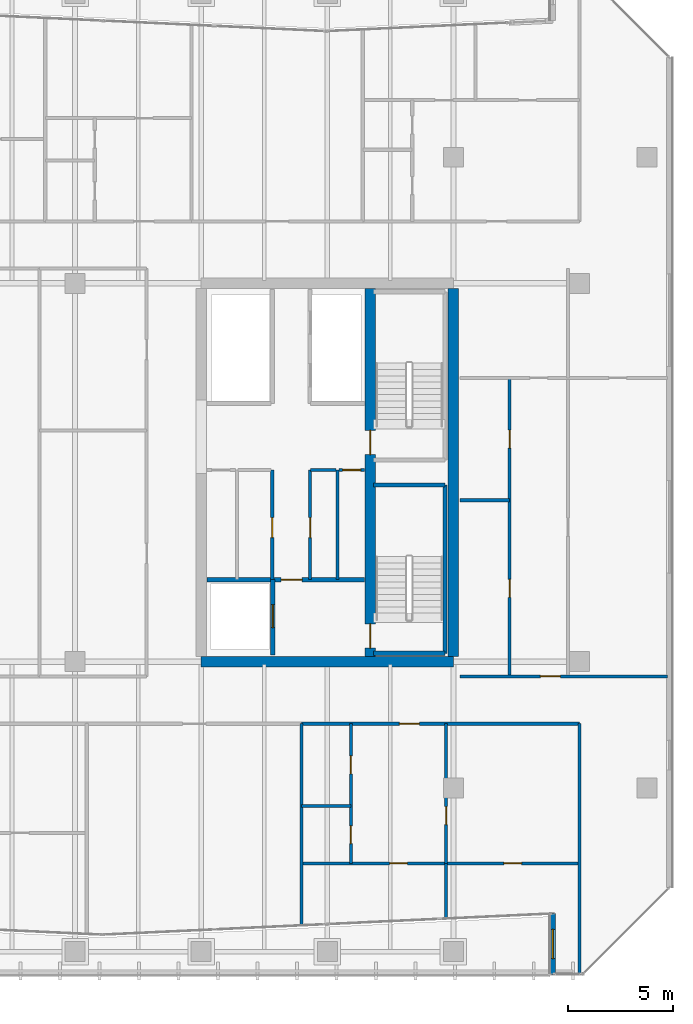
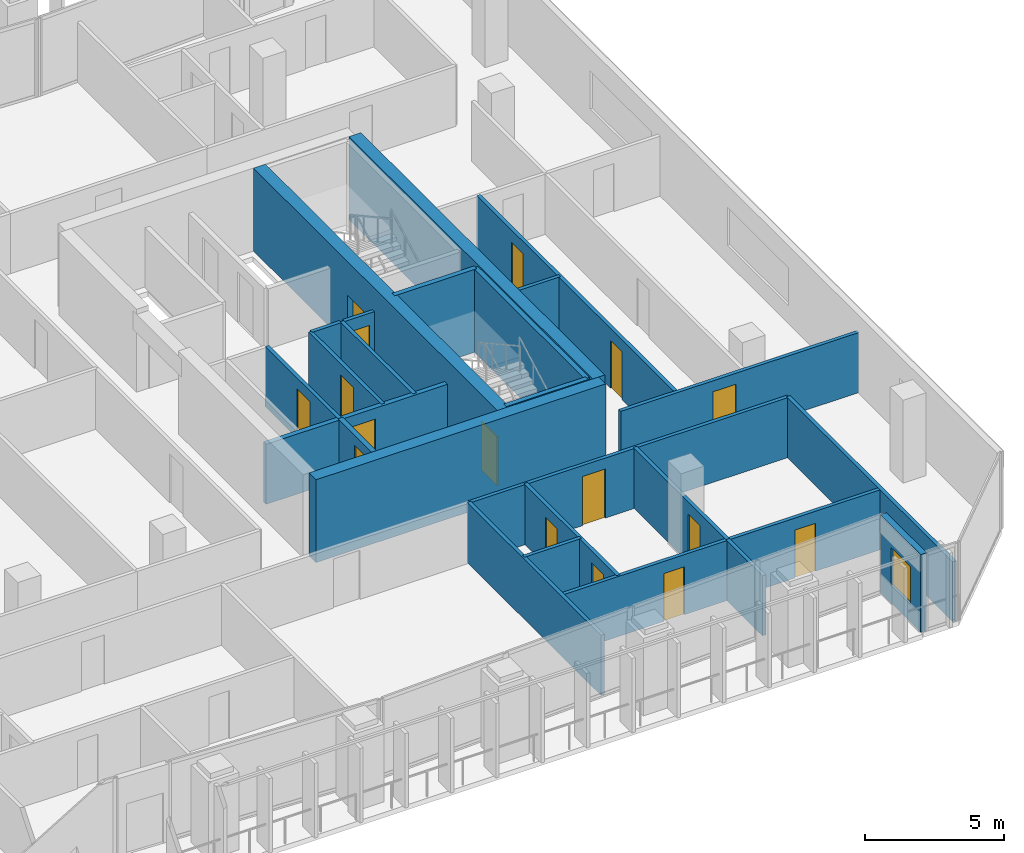
# One storey, part 31 of 39: 25 walls, 16 doors, 1 window, 17 openings.
"""IFC4 building model written with IfcOpenShell, lengths in metres."""

from ifc_helpers import new_model, si_unit, direction, frame, frame_2d, origin, place, context, subcontext, project, spatial, rectangle, extrude, material, layer, layer_set, type_object, element, fill, save


model = new_model("IFC4")

# Units and contexts
model_context = context("Model", 3, precision=1e-05, world=origin(), true_north=direction((0.0, 1.0)))
body_context = subcontext(model_context, "Body", "Model", "MODEL_VIEW")
ifc_project = project(units=[si_unit("LENGTHUNIT", "METRE"), si_unit("AREAUNIT", "SQUARE_METRE"), si_unit("VOLUMEUNIT", "CUBIC_METRE"), si_unit("PLANEANGLEUNIT", "RADIAN"), si_unit("MASSUNIT", "GRAM", prefix="KILO")], contexts=[model_context])

# Site, building, storey
site_placement = place(None, origin())
site = spatial("IfcSite", under=ifc_project, at=site_placement, CompositionType="ELEMENT")
building_placement = place(site_placement, origin())
building = spatial("IfcBuilding", under=site, at=building_placement, Name="Tanjung Sevakor Pilgrim Tower", CompositionType="ELEMENT")
storey_placement = place(building_placement, frame((0.0, 0.0, 108.570068359375)))
storey = spatial("IfcBuildingStorey", under=building, at=storey_placement, Name="L30", CompositionType="ELEMENT", Elevation=108.570068359375)

# Walls
ifc_material_1 = material(Name="Concrete C60/75", Category="concrete")
ifc_layer_1 = layer(ifc_material_1, 0.5)
ifc_layer_set_1 = layer_set([ifc_layer_1], Name="WALL-CW-500")
wall_type_1 = type_object("IfcWallType", Name="WALL-CW-500", PredefinedType="SHEAR", material=ifc_layer_set_1)
wall_1_placement = place(storey_placement, frame((78.0, 24.60009765625, 0.0), z_axis=(0.0, 0.0, 1.0), x_axis=(1.0, 0.0, 0.0)))
element("IfcWall", 1, at=wall_1_placement, inside=storey, type_object=wall_type_1, Name="L30 E Core South Shear Wall", PredefinedType="SHEAR", context=body_context, shape_type="SweptSolid", body=[
    extrude(rectangle(XDim=12.0, YDim=0.5, at=frame_2d((6.0, 0.0))), origin(), (0.0, 0.0, 1.0), 3.6298828125),
])
wall_2_placement = place(storey_placement, frame((90.0, 24.85009765625, 0.0), z_axis=(0.0, 0.0, 1.0), x_axis=(0.0, 1.0, 0.0)))
element("IfcWall", 2, at=wall_2_placement, inside=storey, type_object=wall_type_1, Name="L30 E Core Outer Shear Wall", PredefinedType="SHEAR", context=body_context, shape_type="SweptSolid", body=[
    extrude(rectangle(XDim=17.5, YDim=0.5, at=frame_2d((8.75, 0.0))), origin(), (0.0, 0.0, 1.0), 3.6298828125),
])

# Wall, openings, doors
wall_3_placement = place(storey_placement, frame((86.050048828125, 24.85009765625, 0.0), z_axis=(0.0, 0.0, 1.0), x_axis=(0.0, 1.0, 0.0)))
wall_3 = element("IfcWall", 3, at=wall_3_placement, inside=storey, type_object=wall_type_1, Name="L30 E Core Stair Spine Wall", PredefinedType="SHEAR", context=body_context, shape_type="SweptSolid", body=[
    extrude(rectangle(XDim=17.5, YDim=0.5, at=frame_2d((8.75, 0.0))), origin(), (0.0, 0.0, 1.0), 3.6298828125),
])
opening_1_placement = place(wall_3_placement, frame((0.39990234375, 0.0, 0.0)))
opening_1 = element("IfcOpeningElement", 4, at=opening_1_placement, cuts=wall_3, Name="Opening ID-ST1", PredefinedType="OPENING", context=body_context, shape_type="SweptSolid", body=[
    extrude(rectangle(XDim=1.14990234375, YDim=2.14990234375, at=frame_2d((0.574951171875, 1.074951171875))), frame((0.0, 0.260009765625, 0.0), z_axis=(0.0, -1.0, 0.0), x_axis=(1.0, 0.0, 0.0)), (0.0, 0.0, 1.0), 0.52001953125),
])
opening_2_placement = place(wall_3_placement, frame((9.60009765625, 0.0, 0.0)))
opening_2 = element("IfcOpeningElement", 5, at=opening_2_placement, cuts=wall_3, Name="Opening ID-ST1", PredefinedType="OPENING", context=body_context, shape_type="SweptSolid", body=[
    extrude(rectangle(XDim=1.14990234375, YDim=2.14990234375, at=frame_2d((0.574951171875, 1.074951171875))), frame((0.0, 0.260009765625, 0.0), z_axis=(0.0, -1.0, 0.0), x_axis=(1.0, 0.0, 0.0)), (0.0, 0.0, 1.0), 0.52001953125),
])
ifc_material_2 = material(Name="Fire-Rated Steel S355J2", Category="steel")
door_type_1 = type_object("IfcDoorType", Name="DT-FIRE-1150", OperationType="NOTDEFINED", PredefinedType="DOOR", material=ifc_material_2)
door_1_placement = place(opening_1_placement, origin())
door_1 = element("IfcDoor", 6, at=door_1_placement, inside=storey, type_object=door_type_1, Name="L30 TS-E1 Stair Fire Door", OperationType="SINGLE_SWING_RIGHT", OverallHeight=2.14990234375, OverallWidth=1.14990234375, PredefinedType="DOOR", context=body_context, shape_type="SweptSolid", body=[
    extrude(rectangle(XDim=1.14990234375, YDim=2.14990234375, at=frame_2d((0.574951171875, 1.074951171875))), frame((0.0, 0.02490234375, 0.0), z_axis=(0.0, -1.0, 0.0), x_axis=(1.0, 0.0, 0.0)), (0.0, 0.0, 1.0), 0.050048828125),
])
fill(opening_1, door_1)
door_2_placement = place(opening_2_placement, origin())
door_2 = element("IfcDoor", 7, at=door_2_placement, inside=storey, type_object=door_type_1, Name="L30 TS-E2 Stair Fire Door", OperationType="SINGLE_SWING_LEFT", OverallHeight=2.14990234375, OverallWidth=1.14990234375, PredefinedType="DOOR", context=body_context, shape_type="SweptSolid", body=[
    extrude(rectangle(XDim=1.14990234375, YDim=2.14990234375, at=frame_2d((0.574951171875, 1.074951171875))), frame((0.0, 0.02490234375, 0.0), z_axis=(0.0, -1.0, 0.0), x_axis=(1.0, 0.0, 0.0)), (0.0, 0.0, 1.0), 0.050048828125),
])
fill(opening_2, door_2)

# Wall
ifc_material_3 = material(Name="Concrete C40/50", Category="concrete")
ifc_layer_2 = layer(ifc_material_3, 0.14990234375)
ifc_layer_set_2 = layer_set([ifc_layer_2], Name="WT-COMP-150")
wall_type_2 = type_object("IfcWallType", Name="WT-COMP-150", PredefinedType="SOLIDWALL", material=ifc_layer_set_2)
wall_4_placement = place(storey_placement, frame((84.47998046875, 28.5, 0.0), z_axis=(0.0, 0.0, 1.0), x_axis=(0.0, 1.0, 0.0)))
element("IfcWall", 8, at=wall_4_placement, inside=storey, type_object=wall_type_2, Name="L30 Partition IW-L30-017", PredefinedType="SOLIDWALL", context=body_context, shape_type="SweptSolid", body=[
    extrude(rectangle(XDim=5.219970703125, YDim=0.14990234375, at=frame_2d((2.60986328125, 0.0))), origin(), (0.0, 0.0, 1.0), 2.6298828125),
])

# Wall, opening, door
wall_5_placement = place(storey_placement, frame((84.550048828125, 33.719970703125, 0.0), z_axis=(0.0, 0.0, 1.0), x_axis=(1.0, 0.0, 0.0)))
wall_5 = element("IfcWall", 9, at=wall_5_placement, inside=storey, type_object=wall_type_2, Name="L30 Partition IW-L30-018", PredefinedType="SOLIDWALL", context=body_context, shape_type="SweptSolid", body=[
    extrude(rectangle(XDim=1.22998046875, YDim=0.14990234375, at=frame_2d((0.614990234375, 0.0))), origin(), (0.0, 0.0, 1.0), 2.6298828125),
])
opening_3_placement = place(wall_5_placement, frame((0.179931640625, 0.0, 0.0)))
opening_3 = element("IfcOpeningElement", 10, at=opening_3_placement, cuts=wall_5, Name="Opening ID-FD3", PredefinedType="OPENING", context=body_context, shape_type="SweptSolid", body=[
    extrude(rectangle(XDim=0.85009765625, YDim=2.10009765625, at=frame_2d((0.425048828125, 1.050048828125))), frame((0.0, 0.0849609375, 0.0), z_axis=(0.0, -1.0, 0.0), x_axis=(1.0, 0.0, 0.0)), (0.0, 0.0, 1.0), 0.169921875),
])
ifc_material_4 = material(Name="Fire-Rated Timber", Category="wood")
door_type_2 = type_object("IfcDoorType", Name="DT-FIRE-850", OperationType="NOTDEFINED", PredefinedType="DOOR", material=ifc_material_4)
door_3_placement = place(opening_3_placement, origin())
door_3 = element("IfcDoor", 11, at=door_3_placement, inside=storey, type_object=door_type_2, Name="L30 Cleaner Store Door", OperationType="SINGLE_SWING_RIGHT", OverallHeight=2.10009765625, OverallWidth=0.85009765625, PredefinedType="DOOR", context=body_context, shape_type="SweptSolid", body=[
    extrude(rectangle(XDim=0.85009765625, YDim=2.10009765625, at=frame_2d((0.425048828125, 1.050048828125))), frame((0.0, 0.02490234375, 0.0), z_axis=(0.0, -1.0, 0.0), x_axis=(1.0, 0.0, 0.0)), (0.0, 0.0, 1.0), 0.050048828125),
])
fill(opening_3, door_3)

# Wall
wall_6_placement = place(storey_placement, frame((83.199951171875, 33.719970703125, 0.0), z_axis=(0.0, 0.0, 1.0), x_axis=(1.0, 0.0, 0.0)))
element("IfcWall", 12, at=wall_6_placement, inside=storey, type_object=wall_type_2, Name="L30 Partition IW-L30-019", PredefinedType="SOLIDWALL", context=body_context, shape_type="SweptSolid", body=[
    extrude(rectangle(XDim=1.219970703125, YDim=0.14990234375, at=frame_2d((0.60986328125, 0.0))), origin(), (0.0, 0.0, 1.0), 2.6298828125),
])

# Wall, opening, door
wall_7_placement = place(storey_placement, frame((83.179931640625, 28.5, 0.0), z_axis=(0.0, 0.0, 1.0), x_axis=(0.0, 1.0, 0.0)))
wall_7 = element("IfcWall", 13, at=wall_7_placement, inside=storey, type_object=wall_type_2, Name="L30 Partition IW-L30-020", PredefinedType="SOLIDWALL", context=body_context, shape_type="SweptSolid", body=[
    extrude(rectangle(XDim=5.219970703125, YDim=0.14990234375, at=frame_2d((2.60986328125, 0.0))), origin(), (0.0, 0.0, 1.0), 2.6298828125),
])
opening_4_placement = place(wall_7_placement, frame((2.0, 0.0, 0.0)))
opening_4 = element("IfcOpeningElement", 14, at=opening_4_placement, cuts=wall_7, Name="Opening ID-FD2", PredefinedType="OPENING", context=body_context, shape_type="SweptSolid", body=[
    extrude(rectangle(XDim=0.949951171875, YDim=2.14990234375, at=frame_2d((0.47509765625, 1.074951171875))), frame((0.0, 0.0849609375, 0.0), z_axis=(0.0, -1.0, 0.0), x_axis=(1.0, 0.0, 0.0)), (0.0, 0.0, 1.0), 0.169921875),
])
ifc_material_5 = material(Name="Fire-Rated Timber", Category="wood")
door_type_3 = type_object("IfcDoorType", Name="DT-FIRE-950", OperationType="NOTDEFINED", PredefinedType="DOOR", material=ifc_material_5)
door_4_placement = place(opening_4_placement, origin())
door_4 = element("IfcDoor", 15, at=door_4_placement, inside=storey, type_object=door_type_3, Name="L30 Housekeeping Pantry Door", OperationType="SINGLE_SWING_LEFT", OverallHeight=2.14990234375, OverallWidth=0.949951171875, PredefinedType="DOOR", context=body_context, shape_type="SweptSolid", body=[
    extrude(rectangle(XDim=0.949951171875, YDim=2.14990234375, at=frame_2d((0.47509765625, 1.074951171875))), frame((0.0, 0.02490234375, 0.0), z_axis=(0.0, -1.0, 0.0), x_axis=(1.0, 0.0, 0.0)), (0.0, 0.0, 1.0), 0.050048828125),
])
fill(opening_4, door_4)

wall_8_placement = place(storey_placement, frame((81.3798828125, 28.5, 0.0), z_axis=(0.0, 0.0, 1.0), x_axis=(0.0, 1.0, 0.0)))
wall_8 = element("IfcWall", 16, at=wall_8_placement, inside=storey, type_object=wall_type_2, Name="L30 Partition IW-L30-024", PredefinedType="SOLIDWALL", context=body_context, shape_type="SweptSolid", body=[
    extrude(rectangle(XDim=5.219970703125, YDim=0.14990234375, at=frame_2d((2.60986328125, 0.0))), origin(), (0.0, 0.0, 1.0), 2.6298828125),
])
opening_5_placement = place(wall_8_placement, frame((2.0, 0.0, 0.0)))
opening_5 = element("IfcOpeningElement", 17, at=opening_5_placement, cuts=wall_8, Name="Opening ID-FD2", PredefinedType="OPENING", context=body_context, shape_type="SweptSolid", body=[
    extrude(rectangle(XDim=0.949951171875, YDim=2.14990234375, at=frame_2d((0.47509765625, 1.074951171875))), frame((0.0, 0.0849609375, 0.0), z_axis=(0.0, -1.0, 0.0), x_axis=(1.0, 0.0, 0.0)), (0.0, 0.0, 1.0), 0.169921875),
])
door_5_placement = place(opening_5_placement, origin())
door_5 = element("IfcDoor", 18, at=door_5_placement, inside=storey, type_object=door_type_3, Name="L30 Accessible WC Door", OperationType="SINGLE_SWING_LEFT", OverallHeight=2.14990234375, OverallWidth=0.949951171875, PredefinedType="DOOR", context=body_context, shape_type="SweptSolid", body=[
    extrude(rectangle(XDim=0.949951171875, YDim=2.14990234375, at=frame_2d((0.47509765625, 1.074951171875))), frame((0.0, 0.02490234375, 0.0), z_axis=(0.0, -1.0, 0.0), x_axis=(1.0, 0.0, 0.0)), (0.0, 0.0, 1.0), 0.050048828125),
])
fill(opening_5, door_5)

wall_9_placement = place(storey_placement, frame((90.320068359375, 23.89990234375, 0.0), z_axis=(0.0, 0.0, 1.0), x_axis=(1.0, 0.0, 0.0)))
wall_9 = element("IfcWall", 19, at=wall_9_placement, inside=storey, type_object=wall_type_2, Name="L30 Partition IW-L30-049", PredefinedType="SOLIDWALL", context=body_context, shape_type="SweptSolid", body=[
    extrude(rectangle(XDim=9.869873046875, YDim=0.14990234375, at=frame_2d((4.93505859375, 0.0))), origin(), (0.0, 0.0, 1.0), 2.6298828125),
])
opening_6_placement = place(wall_9_placement, frame((3.820068359375, 0.0, 0.0)))
opening_6 = element("IfcOpeningElement", 20, at=opening_6_placement, cuts=wall_9, Name="Opening ID-FD2", PredefinedType="OPENING", context=body_context, shape_type="SweptSolid", body=[
    extrude(rectangle(XDim=0.949951171875, YDim=2.14990234375, at=frame_2d((0.47509765625, 1.074951171875))), frame((0.0, 0.0849609375, 0.0), z_axis=(0.0, -1.0, 0.0), x_axis=(1.0, 0.0, 0.0)), (0.0, 0.0, 1.0), 0.169921875),
])
door_6_placement = place(opening_6_placement, origin())
door_6 = element("IfcDoor", 21, at=door_6_placement, inside=storey, type_object=door_type_3, Name="Suite Entrance", OperationType="SINGLE_SWING_LEFT", OverallHeight=2.14990234375, OverallWidth=0.949951171875, PredefinedType="DOOR", context=body_context, shape_type="SweptSolid", body=[
    extrude(rectangle(XDim=0.949951171875, YDim=2.14990234375, at=frame_2d((0.47509765625, 1.074951171875))), frame((0.0, 0.02490234375, 0.0), z_axis=(0.0, -1.0, 0.0), x_axis=(1.0, 0.0, 0.0)), (0.0, 0.0, 1.0), 0.050048828125),
])
fill(opening_6, door_6)

# Walls
wall_10_placement = place(storey_placement, frame((96.0, 9.72509765625, 0.0), z_axis=(0.0, 0.0, 1.0), x_axis=(0.0, 1.0, 0.0)))
element("IfcWall", 22, at=wall_10_placement, inside=storey, type_object=wall_type_2, Name="L30 Partition IW-L30-072", PredefinedType="SOLIDWALL", context=body_context, shape_type="SweptSolid", body=[
    extrude(rectangle(XDim=11.9248046875, YDim=0.14990234375, at=frame_2d((5.96240234375, 0.0))), origin(), (0.0, 0.0, 1.0), 2.6298828125),
])
wall_11_placement = place(storey_placement, frame((82.77587890625, 12.050048828125, 0.0), z_axis=(0.0, 0.0, 1.0), x_axis=(0.0, 1.0, 0.0)))
element("IfcWall", 23, at=wall_11_placement, inside=storey, type_object=wall_type_2, Name="L30 Partition IW-L30-081", PredefinedType="SOLIDWALL", context=body_context, shape_type="SweptSolid", body=[
    extrude(rectangle(XDim=9.599853515625, YDim=0.14990234375, at=frame_2d((4.7998046875, 0.0))), origin(), (0.0, 0.0, 1.0), 2.6298828125),
])

# Wall, opening, door
wall_12_placement = place(storey_placement, frame((82.77587890625, 21.64990234375, 0.0), z_axis=(0.0, 0.0, 1.0), x_axis=(1.0, 0.0, 0.0)))
wall_12 = element("IfcWall", 24, at=wall_12_placement, inside=storey, type_object=wall_type_2, Name="L30 Partition IW-L30-088", PredefinedType="SOLIDWALL", context=body_context, shape_type="SweptSolid", body=[
    extrude(rectangle(XDim=13.22412109375, YDim=0.14990234375, at=frame_2d((6.612060546875, 0.0))), origin(), (0.0, 0.0, 1.0), 2.6298828125),
])
opening_7_placement = place(wall_12_placement, frame((4.658447265625, 0.0, 0.0)))
opening_7 = element("IfcOpeningElement", 25, at=opening_7_placement, cuts=wall_12, Name="Opening ID-FD2", PredefinedType="OPENING", context=body_context, shape_type="SweptSolid", body=[
    extrude(rectangle(XDim=0.949951171875, YDim=2.14990234375, at=frame_2d((0.47509765625, 1.074951171875))), frame((0.0, 0.0849609375, 0.0), z_axis=(0.0, -1.0, 0.0), x_axis=(1.0, 0.0, 0.0)), (0.0, 0.0, 1.0), 0.169921875),
])
door_7_placement = place(opening_7_placement, origin())
door_7 = element("IfcDoor", 26, at=door_7_placement, inside=storey, type_object=door_type_3, Name="Suite Entrance", OperationType="SINGLE_SWING_RIGHT", OverallHeight=2.14990234375, OverallWidth=0.949951171875, PredefinedType="DOOR", context=body_context, shape_type="SweptSolid", body=[
    extrude(rectangle(XDim=0.949951171875, YDim=2.14990234375, at=frame_2d((0.47509765625, 1.074951171875))), frame((0.0, 0.02490234375, 0.0), z_axis=(0.0, -1.0, 0.0), x_axis=(1.0, 0.0, 0.0)), (0.0, 0.0, 1.0), 0.050048828125),
])
fill(opening_7, door_7)

# Wall, opening, window
ifc_material_6 = material(Name="Precast concrete C45/55", Category="concrete")
ifc_layer_3 = layer(ifc_material_6, 0.25)
ifc_layer_set_3 = layer_set([ifc_layer_3], Name="WT-EW-STN3")
wall_type_3 = type_object("IfcWallType", Name="WT-EW-STN3", PredefinedType="SOLIDWALL", material=ifc_layer_set_3)
wall_13_placement = place(storey_placement, frame((94.72509765625, 12.611083984375, 0.0), z_axis=(0.0, 0.0, 1.0), x_axis=(0.0, -1.0, 0.0)))
wall_13 = element("IfcWall", 27, at=wall_13_placement, inside=storey, type_object=wall_type_3, Name="L30 MAIN Exterior Wall 14", PredefinedType="SOLIDWALL", context=body_context, shape_type="SweptSolid", body=[
    extrude(rectangle(XDim=2.885986328125, YDim=0.25, at=frame_2d((1.44287109375, 0.0))), origin(), (0.0, 0.0, 1.0), 3.409912109375),
])
opening_8_placement = place(wall_13_placement, frame((0.742919921875, 0.0, 0.780029296875)))
opening_8 = element("IfcOpeningElement", 28, at=opening_8_placement, cuts=wall_13, Name="Opening WN-END", PredefinedType="OPENING", context=body_context, shape_type="SweptSolid", body=[
    extrude(rectangle(XDim=1.39990234375, YDim=1.64990234375, at=frame_2d((0.699951171875, 0.824951171875))), frame((0.0, 0.135009765625, 0.0), z_axis=(0.0, -1.0, 0.0), x_axis=(1.0, 0.0, 0.0)), (0.0, 0.0, 1.0), 0.27001953125),
])
ifc_material_7 = material(Name="Thermally Broken Aluminium and Low-E Glass", Category="aluminium")
window_type = type_object("IfcWindowType", Name="WTYP-WN-END", PartitioningType="SINGLE_PANEL", PredefinedType="WINDOW", material=ifc_material_7)
window_placement = place(opening_8_placement, origin())
window = element("IfcWindow", 29, at=window_placement, inside=storey, type_object=window_type, Name="L30 Facade Window 01", OverallHeight=1.64990234375, OverallWidth=1.39990234375, PartitioningType="SINGLE_PANEL", PredefinedType="WINDOW", context=body_context, shape_type="SweptSolid", body=[
    extrude(rectangle(XDim=1.39990234375, YDim=1.64990234375, at=frame_2d((0.699951171875, 0.824951171875))), frame((0.0, 0.030029296875, 0.0), z_axis=(0.0, -1.0, 0.0), x_axis=(1.0, 0.0, 0.0)), (0.0, 0.0, 1.0), 0.06005859375),
])
fill(opening_8, window)

# Walls
ifc_material_8 = material(Name="Concrete C40/50", Category="concrete")
ifc_layer_4 = layer(ifc_material_8, 0.199951171875)
ifc_layer_set_4 = layer_set([ifc_layer_4], Name="WT-FIRE-200")
wall_type_4 = type_object("IfcWallType", Name="WT-FIRE-200", PredefinedType="SOLIDWALL", material=ifc_layer_set_4)
wall_14_placement = place(storey_placement, frame((86.199951171875, 25.0, 0.0), z_axis=(0.0, 0.0, 1.0), x_axis=(1.0, 0.0, 0.0)))
element("IfcWall", 30, at=wall_14_placement, inside=storey, type_object=wall_type_4, Name="L30 TS-E1 Shaft Wall 1", PredefinedType="SOLIDWALL", context=body_context, shape_type="SweptSolid", body=[
    extrude(rectangle(XDim=3.400146484375, YDim=0.199951171875, at=frame_2d((1.7001953125, 0.0))), origin(), (0.0, 0.0, 1.0), 3.6298828125),
])
wall_15_placement = place(storey_placement, frame((89.60009765625, 25.0, 0.0), z_axis=(0.0, 0.0, 1.0), x_axis=(0.0, 1.0, 0.0)))
element("IfcWall", 31, at=wall_15_placement, inside=storey, type_object=wall_type_4, Name="L30 TS-E1 Shaft Wall 2", PredefinedType="SOLIDWALL", context=body_context, shape_type="SweptSolid", body=[
    extrude(rectangle(XDim=8.0, YDim=0.199951171875, at=frame_2d((4.0, 0.0))), origin(), (0.0, 0.0, 1.0), 3.6298828125),
])
wall_16_placement = place(storey_placement, frame((89.60009765625, 33.0, 0.0), z_axis=(0.0, 0.0, 1.0), x_axis=(-1.0, 0.0, 0.0)))
element("IfcWall", 32, at=wall_16_placement, inside=storey, type_object=wall_type_4, Name="L30 TS-E1 Shaft Wall 3", PredefinedType="SOLIDWALL", context=body_context, shape_type="SweptSolid", body=[
    extrude(rectangle(XDim=3.400146484375, YDim=0.199951171875, at=frame_2d((1.7001953125, 0.0))), origin(), (0.0, 0.0, 1.0), 3.6298828125),
])

# Wall, opening, door
ifc_material_9 = material(Name="Concrete C40/50", Category="concrete")
ifc_layer_5 = layer(ifc_material_9, 0.199951171875)
ifc_layer_set_5 = layer_set([ifc_layer_5], Name="WT-FPRT-200")
wall_type_5 = type_object("IfcWallType", Name="WT-FPRT-200", PredefinedType="SOLIDWALL", material=ifc_layer_set_5)
wall_17_placement = place(storey_placement, frame((81.39990234375, 24.919921875, 0.0), z_axis=(0.0, 0.0, 1.0), x_axis=(0.0, 1.0, 0.0)))
wall_17 = element("IfcWall", 33, at=wall_17_placement, inside=storey, type_object=wall_type_5, Name="L30 Partition IW-L30-015", PredefinedType="SOLIDWALL", context=body_context, shape_type="SweptSolid", body=[
    extrude(rectangle(XDim=3.580078125, YDim=0.199951171875, at=frame_2d((1.7900390625, 0.0))), origin(), (0.0, 0.0, 1.0), 2.6298828125),
])
opening_9_placement = place(wall_17_placement, frame((1.300048828125, 0.0, 0.0)))
opening_9 = element("IfcOpeningElement", 34, at=opening_9_placement, cuts=wall_17, Name="Opening LD-1100", PredefinedType="OPENING", context=body_context, shape_type="SweptSolid", body=[
    extrude(rectangle(XDim=1.10009765625, YDim=2.199951171875, at=frame_2d((0.550048828125, 1.10009765625))), frame((0.0, 0.10986328125, 0.0), z_axis=(0.0, -1.0, 0.0), x_axis=(1.0, 0.0, 0.0)), (0.0, 0.0, 1.0), 0.219970703125),
])
ifc_material_10 = material(Name="Brushed Stainless Steel S355J2", Category="steel")
door_type_4 = type_object("IfcDoorType", Name="DT-LIFT-1100", OperationType="SLIDING_TO_LEFT", PredefinedType="DOOR", material=ifc_material_10)
door_8_placement = place(opening_9_placement, origin())
door_8 = element("IfcDoor", 35, at=door_8_placement, inside=storey, type_object=door_type_4, Name="LD-FL-E", OperationType="SLIDING_TO_LEFT", OverallHeight=2.199951171875, OverallWidth=1.10009765625, PredefinedType="DOOR", context=body_context, shape_type="SweptSolid", body=[
    extrude(rectangle(XDim=1.10009765625, YDim=2.199951171875, at=frame_2d((0.550048828125, 1.10009765625))), frame((0.0, 0.02490234375, 0.0), z_axis=(0.0, -1.0, 0.0), x_axis=(1.0, 0.0, 0.0)), (0.0, 0.0, 1.0), 0.050048828125),
])
fill(opening_9, door_8)

wall_18_placement = place(storey_placement, frame((78.27001953125, 28.5, 0.0), z_axis=(0.0, 0.0, 1.0), x_axis=(1.0, 0.0, 0.0)))
wall_18 = element("IfcWall", 36, at=wall_18_placement, inside=storey, type_object=wall_type_5, Name="L30 Partition IW-L30-016", PredefinedType="SOLIDWALL", context=body_context, shape_type="SweptSolid", body=[
    extrude(rectangle(XDim=7.510009765625, YDim=0.199951171875, at=frame_2d((3.7548828125, 0.0))), origin(), (0.0, 0.0, 1.0), 2.6298828125),
])
opening_10_placement = place(wall_18_placement, frame((3.530029296875, 0.0, 0.0)))
opening_10 = element("IfcOpeningElement", 37, at=opening_10_placement, cuts=wall_18, Name="Opening ID-FD1", PredefinedType="OPENING", context=body_context, shape_type="SweptSolid", body=[
    extrude(rectangle(XDim=1.0, YDim=2.14990234375, at=frame_2d((0.5, 1.074951171875))), frame((0.0, 0.10986328125, 0.0), z_axis=(0.0, -1.0, 0.0), x_axis=(1.0, 0.0, 0.0)), (0.0, 0.0, 1.0), 0.219970703125),
])
ifc_material_11 = material(Name="Fire-Rated Steel S355J2", Category="steel")
door_type_5 = type_object("IfcDoorType", Name="DT-FIRE-1000", OperationType="NOTDEFINED", PredefinedType="DOOR", material=ifc_material_11)
door_9_placement = place(opening_10_placement, origin())
door_9 = element("IfcDoor", 38, at=door_9_placement, inside=storey, type_object=door_type_5, Name="Fire Lobby Door E", OperationType="SINGLE_SWING_LEFT", OverallHeight=2.14990234375, OverallWidth=1.0, PredefinedType="DOOR", context=body_context, shape_type="SweptSolid", body=[
    extrude(rectangle(XDim=1.0, YDim=2.14990234375, at=frame_2d((0.5, 1.074951171875))), frame((0.0, 0.02490234375, 0.0), z_axis=(0.0, -1.0, 0.0), x_axis=(1.0, 0.0, 0.0)), (0.0, 0.0, 1.0), 0.050048828125),
])
fill(opening_10, door_9)

# Wall
ifc_material_12 = material(Name="Gypsum Board Partition", Category="gypsum board")
ifc_layer_6 = layer(ifc_material_12, 0.14990234375)
ifc_layer_set_6 = layer_set([ifc_layer_6], Name="WT-PART-150")
wall_type_6 = type_object("IfcWallType", Name="WT-PART-150", PredefinedType="PARTITIONING", material=ifc_layer_set_6)
wall_19_placement = place(storey_placement, frame((90.320068359375, 32.278076171875, 0.0), z_axis=(0.0, 0.0, 1.0), x_axis=(1.0, 0.0, 0.0)))
element("IfcWall", 39, at=wall_19_placement, inside=storey, type_object=wall_type_6, Name="L30 Partition IW-L30-045", PredefinedType="PARTITIONING", context=body_context, shape_type="SweptSolid", body=[
    extrude(rectangle(XDim=2.349853515625, YDim=0.14990234375, at=frame_2d((1.1748046875, 0.0))), origin(), (0.0, 0.0, 1.0), 2.6298828125),
])

# Wall, openings, doors
wall_20_placement = place(storey_placement, frame((92.669921875, 23.89990234375, 0.0), z_axis=(0.0, 0.0, 1.0), x_axis=(0.0, 1.0, 0.0)))
wall_20 = element("IfcWall", 40, at=wall_20_placement, inside=storey, type_object=wall_type_6, Name="L30 Partition IW-L30-046", PredefinedType="PARTITIONING", context=body_context, shape_type="SweptSolid", body=[
    extrude(rectangle(XDim=14.2001953125, YDim=0.14990234375, at=frame_2d((7.10009765625, 0.0))), origin(), (0.0, 0.0, 1.0), 2.6298828125),
])
opening_11_placement = place(wall_20_placement, frame((3.763916015625, 0.0, 0.0)))
opening_11 = element("IfcOpeningElement", 41, at=opening_11_placement, cuts=wall_20, Name="Opening ID-WC1", PredefinedType="OPENING", context=body_context, shape_type="SweptSolid", body=[
    extrude(rectangle(XDim=0.85009765625, YDim=2.10009765625, at=frame_2d((0.425048828125, 1.050048828125))), frame((0.0, 0.0849609375, 0.0), z_axis=(0.0, -1.0, 0.0), x_axis=(1.0, 0.0, 0.0)), (0.0, 0.0, 1.0), 0.169921875),
])
opening_12_placement = place(wall_20_placement, frame((10.864013671875, 0.0, 0.0)))
opening_12 = element("IfcOpeningElement", 42, at=opening_12_placement, cuts=wall_20, Name="Opening ID-WC1", PredefinedType="OPENING", context=body_context, shape_type="SweptSolid", body=[
    extrude(rectangle(XDim=0.85009765625, YDim=2.10009765625, at=frame_2d((0.425048828125, 1.050048828125))), frame((0.0, 0.0849609375, 0.0), z_axis=(0.0, -1.0, 0.0), x_axis=(1.0, 0.0, 0.0)), (0.0, 0.0, 1.0), 0.169921875),
])
ifc_material_13 = material(Name="Moisture-Resistant Timber", Category="wood")
door_type_6 = type_object("IfcDoorType", Name="DT-INT-850", OperationType="NOTDEFINED", PredefinedType="DOOR", material=ifc_material_13)
door_10_placement = place(opening_11_placement, origin())
door_10 = element("IfcDoor", 43, at=door_10_placement, inside=storey, type_object=door_type_6, Name="Suite Kitchenette Door", OperationType="SINGLE_SWING_LEFT", OverallHeight=2.10009765625, OverallWidth=0.85009765625, PredefinedType="DOOR", context=body_context, shape_type="SweptSolid", body=[
    extrude(rectangle(XDim=0.85009765625, YDim=2.10009765625, at=frame_2d((0.425048828125, 1.050048828125))), frame((0.0, 0.02490234375, 0.0), z_axis=(0.0, -1.0, 0.0), x_axis=(1.0, 0.0, 0.0)), (0.0, 0.0, 1.0), 0.050048828125),
])
fill(opening_11, door_10)
door_11_placement = place(opening_12_placement, origin())
door_11 = element("IfcDoor", 44, at=door_11_placement, inside=storey, type_object=door_type_6, Name="Suite Bathroom Door", OperationType="SINGLE_SWING_RIGHT", OverallHeight=2.10009765625, OverallWidth=0.85009765625, PredefinedType="DOOR", context=body_context, shape_type="SweptSolid", body=[
    extrude(rectangle(XDim=0.85009765625, YDim=2.10009765625, at=frame_2d((0.425048828125, 1.050048828125))), frame((0.0, 0.02490234375, 0.0), z_axis=(0.0, -1.0, 0.0), x_axis=(1.0, 0.0, 0.0)), (0.0, 0.0, 1.0), 0.050048828125),
])
fill(opening_12, door_11)

# Wall, opening, door
wall_21_placement = place(storey_placement, frame((89.65234375, 15.0, 0.0), z_axis=(0.0, 0.0, 1.0), x_axis=(0.0, 1.0, 0.0)))
wall_21 = element("IfcWall", 45, at=wall_21_placement, inside=storey, type_object=wall_type_6, Name="L30 Partition IW-L30-083", PredefinedType="PARTITIONING", context=body_context, shape_type="SweptSolid", body=[
    extrude(rectangle(XDim=6.64990234375, YDim=0.14990234375, at=frame_2d((3.324951171875, 0.0))), origin(), (0.0, 0.0, 1.0), 2.6298828125),
])
opening_13_placement = place(wall_21_placement, frame((1.85009765625, 0.0, 0.0)))
opening_13 = element("IfcOpeningElement", 46, at=opening_13_placement, cuts=wall_21, Name="Opening ID-WC1", PredefinedType="OPENING", context=body_context, shape_type="SweptSolid", body=[
    extrude(rectangle(XDim=0.85009765625, YDim=2.10009765625, at=frame_2d((0.425048828125, 1.050048828125))), frame((0.0, 0.0849609375, 0.0), z_axis=(0.0, -1.0, 0.0), x_axis=(1.0, 0.0, 0.0)), (0.0, 0.0, 1.0), 0.169921875),
])
door_12_placement = place(opening_13_placement, origin())
door_12 = element("IfcDoor", 47, at=door_12_placement, inside=storey, type_object=door_type_6, Name="Suite Study Room Door", OperationType="SINGLE_SWING_LEFT", OverallHeight=2.10009765625, OverallWidth=0.85009765625, PredefinedType="DOOR", context=body_context, shape_type="SweptSolid", body=[
    extrude(rectangle(XDim=0.85009765625, YDim=2.10009765625, at=frame_2d((0.425048828125, 1.050048828125))), frame((0.0, 0.02490234375, 0.0), z_axis=(0.0, -1.0, 0.0), x_axis=(1.0, 0.0, 0.0)), (0.0, 0.0, 1.0), 0.050048828125),
])
fill(opening_13, door_12)

# Wall
wall_22_placement = place(storey_placement, frame((82.77587890625, 17.7265625, 0.0), z_axis=(0.0, 0.0, 1.0), x_axis=(1.0, 0.0, 0.0)))
element("IfcWall", 48, at=wall_22_placement, inside=storey, type_object=wall_type_6, Name="L30 Partition IW-L30-084", PredefinedType="PARTITIONING", context=body_context, shape_type="SweptSolid", body=[
    extrude(rectangle(XDim=2.35009765625, YDim=0.14990234375, at=frame_2d((1.175048828125, 0.0))), origin(), (0.0, 0.0, 1.0), 2.6298828125),
])

# Wall, openings, doors
wall_23_placement = place(storey_placement, frame((85.1259765625, 15.0, 0.0), z_axis=(0.0, 0.0, 1.0), x_axis=(0.0, 1.0, 0.0)))
wall_23 = element("IfcWall", 49, at=wall_23_placement, inside=storey, type_object=wall_type_6, Name="L30 Partition IW-L30-085", PredefinedType="PARTITIONING", context=body_context, shape_type="SweptSolid", body=[
    extrude(rectangle(XDim=6.64990234375, YDim=0.14990234375, at=frame_2d((3.324951171875, 0.0))), origin(), (0.0, 0.0, 1.0), 2.6298828125),
])
opening_14_placement = place(wall_23_placement, frame((0.938232421875, 0.0, 0.0)))
opening_14 = element("IfcOpeningElement", 50, at=opening_14_placement, cuts=wall_23, Name="Opening ID-WC1", PredefinedType="OPENING", context=body_context, shape_type="SweptSolid", body=[
    extrude(rectangle(XDim=0.85009765625, YDim=2.10009765625, at=frame_2d((0.425048828125, 1.050048828125))), frame((0.0, 0.0849609375, 0.0), z_axis=(0.0, -1.0, 0.0), x_axis=(1.0, 0.0, 0.0)), (0.0, 0.0, 1.0), 0.169921875),
])
opening_15_placement = place(wall_23_placement, frame((4.26318359375, 0.0, 0.0)))
opening_15 = element("IfcOpeningElement", 51, at=opening_15_placement, cuts=wall_23, Name="Opening ID-WC1", PredefinedType="OPENING", context=body_context, shape_type="SweptSolid", body=[
    extrude(rectangle(XDim=0.85009765625, YDim=2.10009765625, at=frame_2d((0.425048828125, 1.050048828125))), frame((0.0, 0.0849609375, 0.0), z_axis=(0.0, -1.0, 0.0), x_axis=(1.0, 0.0, 0.0)), (0.0, 0.0, 1.0), 0.169921875),
])
door_13_placement = place(opening_14_placement, origin())
door_13 = element("IfcDoor", 52, at=door_13_placement, inside=storey, type_object=door_type_6, Name="Suite Bathroom Door", OperationType="SINGLE_SWING_RIGHT", OverallHeight=2.10009765625, OverallWidth=0.85009765625, PredefinedType="DOOR", context=body_context, shape_type="SweptSolid", body=[
    extrude(rectangle(XDim=0.85009765625, YDim=2.10009765625, at=frame_2d((0.425048828125, 1.050048828125))), frame((0.0, 0.02490234375, 0.0), z_axis=(0.0, -1.0, 0.0), x_axis=(1.0, 0.0, 0.0)), (0.0, 0.0, 1.0), 0.050048828125),
])
fill(opening_14, door_13)
door_14_placement = place(opening_15_placement, origin())
door_14 = element("IfcDoor", 53, at=door_14_placement, inside=storey, type_object=door_type_6, Name="Suite Kitchenette Door", OperationType="SINGLE_SWING_LEFT", OverallHeight=2.10009765625, OverallWidth=0.85009765625, PredefinedType="DOOR", context=body_context, shape_type="SweptSolid", body=[
    extrude(rectangle(XDim=0.85009765625, YDim=2.10009765625, at=frame_2d((0.425048828125, 1.050048828125))), frame((0.0, 0.02490234375, 0.0), z_axis=(0.0, -1.0, 0.0), x_axis=(1.0, 0.0, 0.0)), (0.0, 0.0, 1.0), 0.050048828125),
])
fill(opening_15, door_14)

# Wall
wall_24_placement = place(storey_placement, frame((89.65234375, 12.372802734375, 0.0), z_axis=(0.0, 0.0, 1.0), x_axis=(0.0, 1.0, 0.0)))
element("IfcWall", 54, at=wall_24_placement, inside=storey, type_object=wall_type_6, Name="L30 Partition IW-L30-086", PredefinedType="PARTITIONING", context=body_context, shape_type="SweptSolid", body=[
    extrude(rectangle(XDim=2.627197265625, YDim=0.14990234375, at=frame_2d((1.3134765625, 0.0))), origin(), (0.0, 0.0, 1.0), 2.6298828125),
])

# Wall, openings, doors
wall_25_placement = place(storey_placement, frame((82.77587890625, 15.0, 0.0), z_axis=(0.0, 0.0, 1.0), x_axis=(1.0, 0.0, 0.0)))
wall_25 = element("IfcWall", 55, at=wall_25_placement, inside=storey, type_object=wall_type_6, Name="L30 Partition IW-L30-087", PredefinedType="PARTITIONING", context=body_context, shape_type="SweptSolid", body=[
    extrude(rectangle(XDim=13.22412109375, YDim=0.14990234375, at=frame_2d((6.612060546875, 0.0))), origin(), (0.0, 0.0, 1.0), 2.6298828125),
])
opening_16_placement = place(wall_25_placement, frame((4.188232421875, 0.0, 0.0)))
opening_16 = element("IfcOpeningElement", 56, at=opening_16_placement, cuts=wall_25, Name="Opening ID-WC1", PredefinedType="OPENING", context=body_context, shape_type="SweptSolid", body=[
    extrude(rectangle(XDim=0.85009765625, YDim=2.10009765625, at=frame_2d((0.425048828125, 1.050048828125))), frame((0.0, 0.0849609375, 0.0), z_axis=(0.0, -1.0, 0.0), x_axis=(1.0, 0.0, 0.0)), (0.0, 0.0, 1.0), 0.169921875),
])
opening_17_placement = place(wall_25_placement, frame((9.625244140625, 0.0, 0.0)))
opening_17 = element("IfcOpeningElement", 57, at=opening_17_placement, cuts=wall_25, Name="Opening ID-WC1", PredefinedType="OPENING", context=body_context, shape_type="SweptSolid", body=[
    extrude(rectangle(XDim=0.85009765625, YDim=2.10009765625, at=frame_2d((0.425048828125, 1.050048828125))), frame((0.0, 0.0849609375, 0.0), z_axis=(0.0, -1.0, 0.0), x_axis=(1.0, 0.0, 0.0)), (0.0, 0.0, 1.0), 0.169921875),
])
door_15_placement = place(opening_16_placement, origin())
door_15 = element("IfcDoor", 58, at=door_15_placement, inside=storey, type_object=door_type_6, Name="Suite Bedroom 1 Door", OperationType="SINGLE_SWING_RIGHT", OverallHeight=2.10009765625, OverallWidth=0.85009765625, PredefinedType="DOOR", context=body_context, shape_type="SweptSolid", body=[
    extrude(rectangle(XDim=0.85009765625, YDim=2.10009765625, at=frame_2d((0.425048828125, 1.050048828125))), frame((0.0, 0.02490234375, 0.0), z_axis=(0.0, -1.0, 0.0), x_axis=(1.0, 0.0, 0.0)), (0.0, 0.0, 1.0), 0.050048828125),
])
fill(opening_16, door_15)
door_16_placement = place(opening_17_placement, origin())
door_16 = element("IfcDoor", 59, at=door_16_placement, inside=storey, type_object=door_type_6, Name="Suite Bedroom 2 Door", OperationType="SINGLE_SWING_LEFT", OverallHeight=2.10009765625, OverallWidth=0.85009765625, PredefinedType="DOOR", context=body_context, shape_type="SweptSolid", body=[
    extrude(rectangle(XDim=0.85009765625, YDim=2.10009765625, at=frame_2d((0.425048828125, 1.050048828125))), frame((0.0, 0.02490234375, 0.0), z_axis=(0.0, -1.0, 0.0), x_axis=(1.0, 0.0, 0.0)), (0.0, 0.0, 1.0), 0.050048828125),
])
fill(opening_17, door_16)

save(model, "model.ifc")
